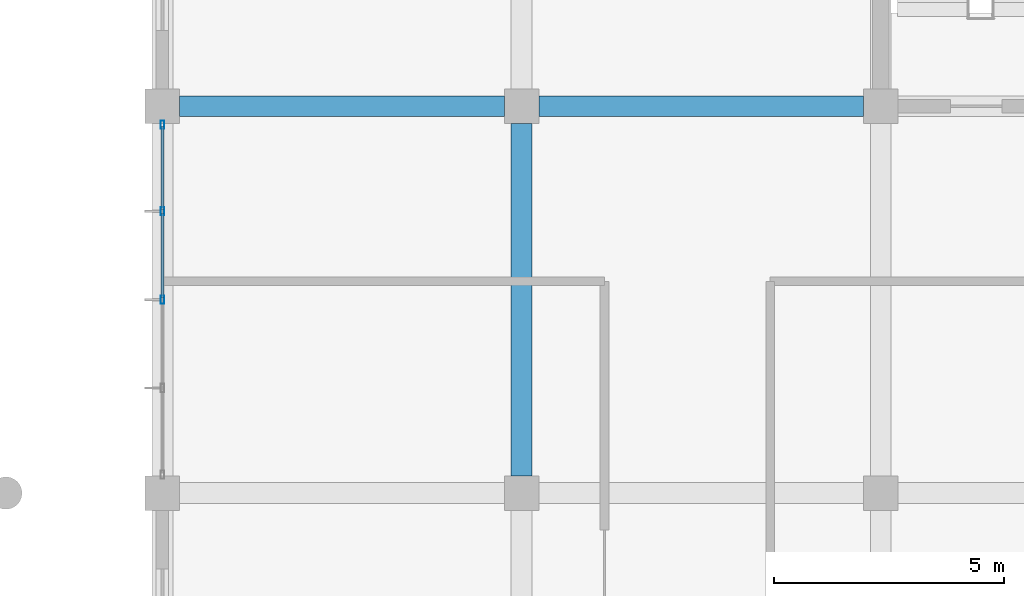
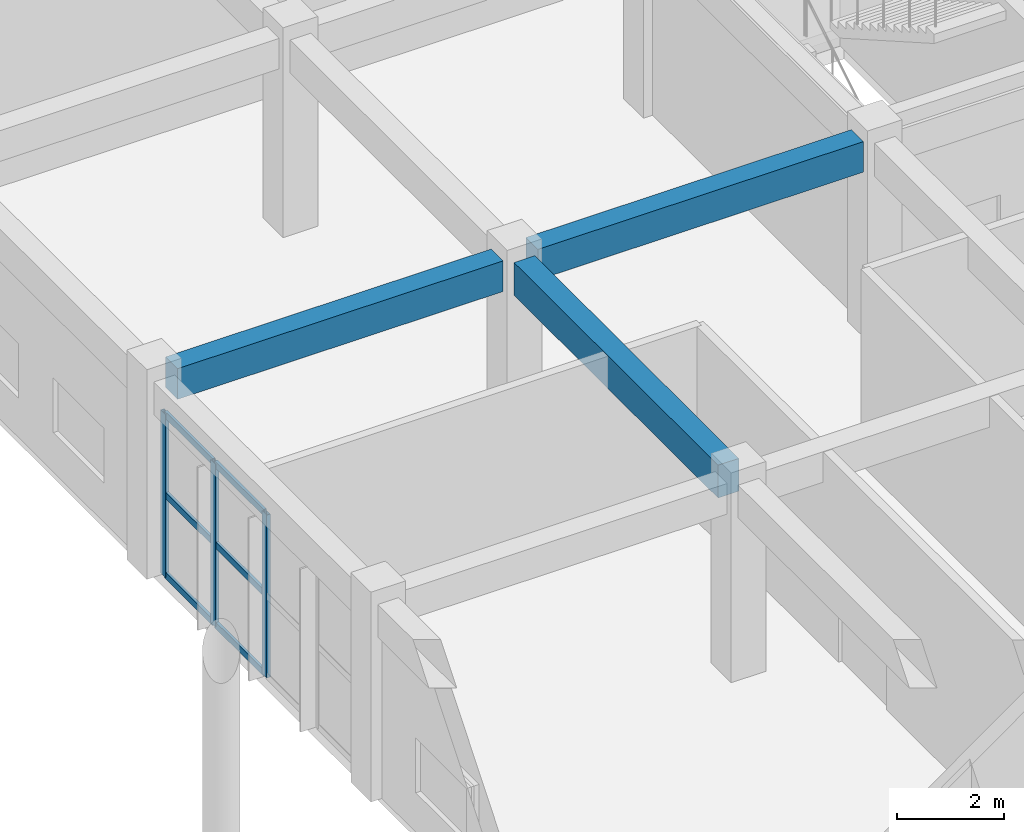
# One storey, part 52 of 167: 9 members, 3 beams, 1 element without a shape of its own.
"""IFC4 building model written with IfcOpenShell, lengths in metres."""

from ifc_helpers import new_model, si_unit, direction, frame, origin, origin_2d, place, context, subcontext, project, spatial, rectangle, hollow_rectangle, extrude, material, layer, layer_set, material_profile, profile_set, type_object, element, aggregate, save


model = new_model("IFC4")

# Units and contexts
model_context = context("Model", 3, precision=1e-05, world=origin(), true_north=direction((0.0, 1.0)))
body_context = subcontext(model_context, "Body", "Model", "MODEL_VIEW")
ifc_project = project(units=[si_unit("LENGTHUNIT", "METRE"), si_unit("AREAUNIT", "SQUARE_METRE"), si_unit("VOLUMEUNIT", "CUBIC_METRE"), si_unit("PLANEANGLEUNIT", "RADIAN"), si_unit("MASSUNIT", "GRAM", prefix="KILO")], contexts=[model_context])

# Site, building, storey
site_placement = place(None, origin())
site = spatial("IfcSite", under=ifc_project, at=site_placement, CompositionType="ELEMENT")
building_placement = place(site_placement, origin())
building = spatial("IfcBuilding", under=site, at=building_placement, Name="Zizhar Promenade General Hospital", CompositionType="ELEMENT")
storey_placement = place(building_placement, frame((0.0, 0.0, 9.60009765625)))
storey = spatial("IfcBuildingStorey", under=building, at=storey_placement, Name="L02", CompositionType="ELEMENT", Elevation=9.60009765625)

# Beams
ifc_material_1 = material(Name="Concrete C35/45", Category="concrete")
ifc_material_profile_1 = material_profile(ifc_material_1, rectangle(XDim=0.449951171875, YDim=0.699951171875, at=origin_2d()))
ifc_profile_set_1 = profile_set([ifc_material_profile_1], Name="Concrete C35/45")
beam_type_1 = type_object("IfcBeamType", Name="BM-RC-450x700", PredefinedType="BEAM", material=ifc_profile_set_1)
beam_1_placement = place(storey_placement, frame((47.175048828125, 109.199951171875, 4.119873046875), z_axis=(1.0, 0.0, 0.0), x_axis=(0.0, 1.0, 0.0)))
element("IfcBeam", 1, at=beam_1_placement, inside=storey, type_object=beam_type_1, Name="Grid Beam X L02 (6-13)", PredefinedType="BEAM", context=body_context, shape_type="SweptSolid", body=[
    extrude(rectangle(XDim=0.449951171875, YDim=0.699951171875, at=origin_2d()), origin(), (0.0, 0.0, 1.0), 7.050048828125),
])
beam_2_placement = place(storey_placement, frame((54.97509765625, 109.199951171875, 4.119873046875), z_axis=(1.0, 0.0, 0.0), x_axis=(0.0, 1.0, 0.0)))
element("IfcBeam", 2, at=beam_2_placement, inside=storey, type_object=beam_type_1, Name="Grid Beam X L02 (7-13)", PredefinedType="BEAM", context=body_context, shape_type="SweptSolid", body=[
    extrude(rectangle(XDim=0.449951171875, YDim=0.699951171875, at=origin_2d()), origin(), (0.0, 0.0, 1.0), 7.0498046875),
])
ifc_material_2 = material(Name="Concrete C35/45", Category="concrete")
ifc_material_profile_2 = material_profile(ifc_material_2, rectangle(XDim=0.449951171875, YDim=0.75, at=origin_2d()))
ifc_profile_set_2 = profile_set([ifc_material_profile_2], Name="Concrete C35/45")
beam_type_2 = type_object("IfcBeamType", Name="BM-RC-450x750", PredefinedType="BEAM", material=ifc_profile_set_2)
beam_3_placement = place(storey_placement, frame((54.60009765625, 101.175048828125, 4.094970703125), z_axis=(0.0, 1.0, 0.0), x_axis=(-1.0, 0.0, 0.0)))
element("IfcBeam", 3, at=beam_3_placement, inside=storey, type_object=beam_type_2, Name="Grid Beam Y L02 (7-12)", PredefinedType="BEAM", context=body_context, shape_type="SweptSolid", body=[
    extrude(rectangle(XDim=0.449951171875, YDim=0.75, at=origin_2d()), origin(), (0.0, 0.0, 1.0), 7.64990234375),
])

# Curtain wall, members
ifc_material_3 = material(Name="Anodised aluminium 6063-T6 and low-E glass", Category="aluminium")
ifc_layer = layer(ifc_material_3, 0.159912109375)
ifc_layer_set = layer_set([ifc_layer], Name="Anodised aluminium 6063-T6 and low-E glass")
curtain_wall_type = type_object("IfcCurtainWallType", Name="CW-DT-MOD1", PredefinedType="NOTDEFINED", material=ifc_layer_set)
curtain_wall_placement = place(storey_placement, origin())
curtain_wall = element("IfcCurtainWall", 4, at=curtain_wall_placement, inside=storey, type_object=curtain_wall_type, Name="Surgical West Glazed Curtain Wall L02-12", PredefinedType="NOTDEFINED")
ifc_material_4 = material(Name="Anodised aluminium 6063-T6", Category="aluminium")
ifc_material_profile_3 = material_profile(ifc_material_4, hollow_rectangle(XDim=0.080078125, YDim=0.179931640625, WallThickness=0.0048828125, at=origin_2d()))
ifc_profile_set_3 = profile_set([ifc_material_profile_3], Name="Anodised aluminium 6063-T6")
member_type_1 = type_object("IfcMemberType", Name="CWM-ALU-180x80", PredefinedType="MULLION", material=ifc_profile_set_3)
member_1_placement = place(storey_placement, frame((46.800048828125, 105.0, 0.0), z_axis=(0.0, 0.0, 1.0), x_axis=(-1.0, 0.0, 0.0)))
member_1 = element("IfcMember", 5, at=member_1_placement, type_object=member_type_1, Name="CW-07 mullion 3", PredefinedType="MULLION", context=body_context, shape_type="SweptSolid", body=[
    extrude(hollow_rectangle(XDim=0.080078125, YDim=0.179931640625, WallThickness=0.0048828125, at=origin_2d()), origin(), (0.0, 0.0, 1.0), 3.72998046875),
])
member_2_placement = place(storey_placement, frame((46.800048828125, 106.919921875, 0.0), z_axis=(0.0, 0.0, 1.0), x_axis=(-1.0, 0.0, 0.0)))
member_2 = element("IfcMember", 6, at=member_2_placement, type_object=member_type_1, Name="CW-07 mullion 4", PredefinedType="MULLION", context=body_context, shape_type="SweptSolid", body=[
    extrude(hollow_rectangle(XDim=0.080078125, YDim=0.179931640625, WallThickness=0.0048828125, at=origin_2d()), origin(), (0.0, 0.0, 1.0), 3.72998046875),
])
member_3_placement = place(storey_placement, frame((46.800048828125, 108.800048828125, 0.0), z_axis=(0.0, 0.0, 1.0), x_axis=(-1.0, 0.0, 0.0)))
member_3 = element("IfcMember", 7, at=member_3_placement, type_object=member_type_1, Name="CW-07 mullion 5", PredefinedType="MULLION", context=body_context, shape_type="SweptSolid", body=[
    extrude(hollow_rectangle(XDim=0.080078125, YDim=0.179931640625, WallThickness=0.0048828125, at=origin_2d()), origin(), (0.0, 0.0, 1.0), 3.72998046875),
])
ifc_material_5 = material(Name="Anodised aluminium 6063-T6", Category="aluminium")
ifc_material_profile_4 = material_profile(ifc_material_5, hollow_rectangle(XDim=0.06005859375, YDim=0.14990234375, WallThickness=0.00390625, at=origin_2d()))
ifc_profile_set_4 = profile_set([ifc_material_profile_4], Name="Anodised aluminium 6063-T6")
member_type_2 = type_object("IfcMemberType", Name="CWT-ALU-150x60", PredefinedType="USERDEFINED", material=ifc_profile_set_4)
member_4_placement = place(storey_placement, frame((46.800048828125, 105.0400390625, 0.02978515625), z_axis=(0.0, 1.0, 0.0), x_axis=(-1.0, 0.0, 0.0)))
member_4 = element("IfcMember", 8, at=member_4_placement, type_object=member_type_2, Name="CW-07 transom 3.1", ObjectType="TRANSOM", PredefinedType="USERDEFINED", context=body_context, shape_type="SweptSolid", body=[
    extrude(hollow_rectangle(XDim=0.06005859375, YDim=0.14990234375, WallThickness=0.00390625, at=origin_2d()), origin(), (0.0, 0.0, 1.0), 1.83984375),
])
member_5_placement = place(storey_placement, frame((46.800048828125, 105.0400390625, 1.864990234375), z_axis=(0.0, 1.0, 0.0), x_axis=(-1.0, 0.0, 0.0)))
member_5 = element("IfcMember", 9, at=member_5_placement, type_object=member_type_2, Name="CW-07 transom 3.2", ObjectType="TRANSOM", PredefinedType="USERDEFINED", context=body_context, shape_type="SweptSolid", body=[
    extrude(hollow_rectangle(XDim=0.06005859375, YDim=0.14990234375, WallThickness=0.00390625, at=origin_2d()), origin(), (0.0, 0.0, 1.0), 1.83984375),
])
member_6_placement = place(storey_placement, frame((46.800048828125, 105.0400390625, 3.699951171875), z_axis=(0.0, 1.0, 0.0), x_axis=(-1.0, 0.0, 0.0)))
member_6 = element("IfcMember", 10, at=member_6_placement, type_object=member_type_2, Name="CW-07 transom 3.3", ObjectType="TRANSOM", PredefinedType="USERDEFINED", context=body_context, shape_type="SweptSolid", body=[
    extrude(hollow_rectangle(XDim=0.06005859375, YDim=0.14990234375, WallThickness=0.00390625, at=origin_2d()), origin(), (0.0, 0.0, 1.0), 1.83984375),
])
member_7_placement = place(storey_placement, frame((46.800048828125, 106.9599609375, 0.02978515625), z_axis=(0.0, 1.0, 0.0), x_axis=(-1.0, 0.0, 0.0)))
member_7 = element("IfcMember", 11, at=member_7_placement, type_object=member_type_2, Name="CW-07 transom 4.1", ObjectType="TRANSOM", PredefinedType="USERDEFINED", context=body_context, shape_type="SweptSolid", body=[
    extrude(hollow_rectangle(XDim=0.06005859375, YDim=0.14990234375, WallThickness=0.00390625, at=origin_2d()), origin(), (0.0, 0.0, 1.0), 1.800048828125),
])
member_8_placement = place(storey_placement, frame((46.800048828125, 106.9599609375, 1.864990234375), z_axis=(0.0, 1.0, 0.0), x_axis=(-1.0, 0.0, 0.0)))
member_8 = element("IfcMember", 12, at=member_8_placement, type_object=member_type_2, Name="CW-07 transom 4.2", ObjectType="TRANSOM", PredefinedType="USERDEFINED", context=body_context, shape_type="SweptSolid", body=[
    extrude(hollow_rectangle(XDim=0.06005859375, YDim=0.14990234375, WallThickness=0.00390625, at=origin_2d()), origin(), (0.0, 0.0, 1.0), 1.800048828125),
])
member_9_placement = place(storey_placement, frame((46.800048828125, 106.9599609375, 3.699951171875), z_axis=(0.0, 1.0, 0.0), x_axis=(-1.0, 0.0, 0.0)))
member_9 = element("IfcMember", 13, at=member_9_placement, type_object=member_type_2, Name="CW-07 transom 4.3", ObjectType="TRANSOM", PredefinedType="USERDEFINED", context=body_context, shape_type="SweptSolid", body=[
    extrude(hollow_rectangle(XDim=0.06005859375, YDim=0.14990234375, WallThickness=0.00390625, at=origin_2d()), origin(), (0.0, 0.0, 1.0), 1.800048828125),
])
aggregate(curtain_wall, [member_1, member_2, member_3, member_4, member_5, member_6, member_7, member_8, member_9])

save(model, "model.ifc")
